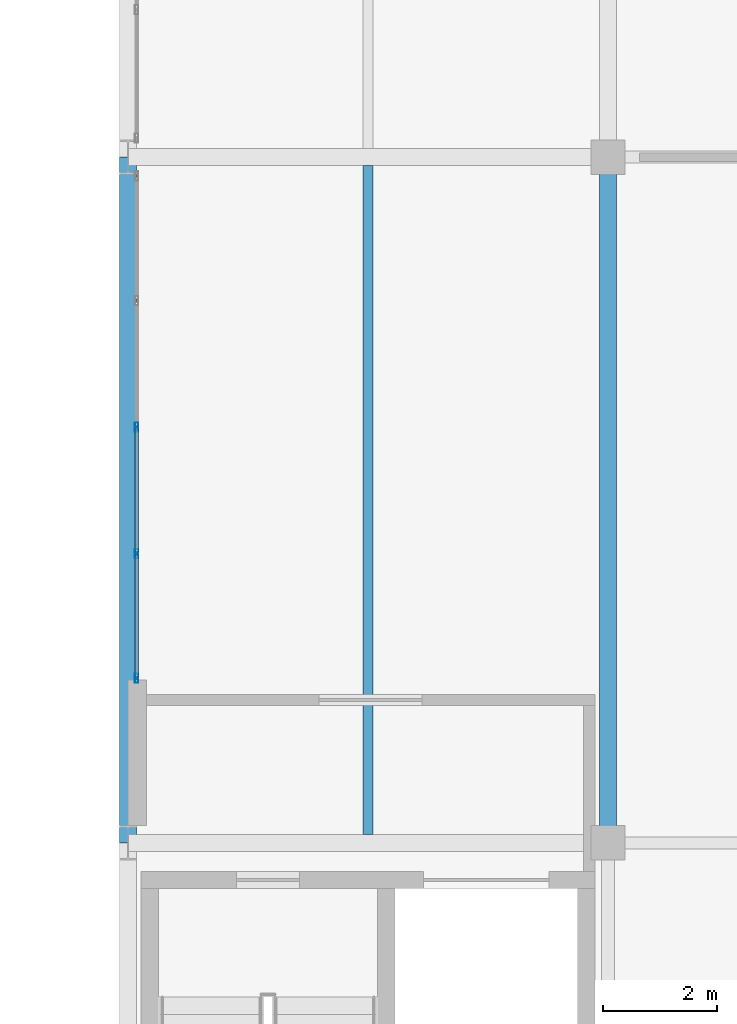
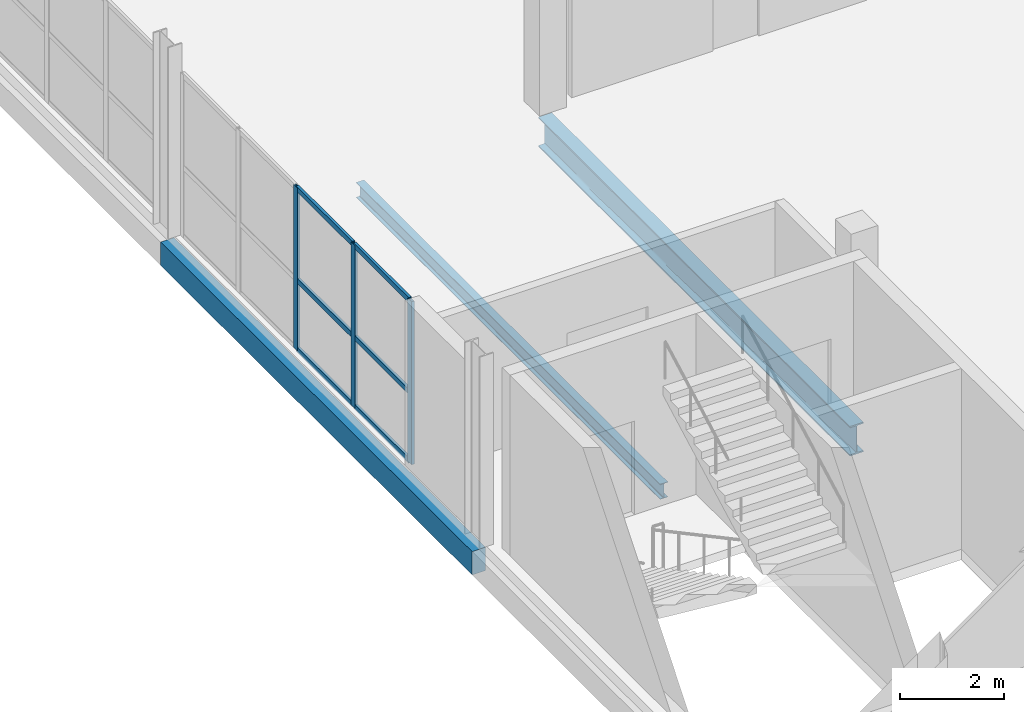
# One storey, part 88 of 130: 9 members, 3 beams, 1 element without a shape of its own.
"""IFC4 building model written with IfcOpenShell, lengths in metres."""

from ifc_helpers import new_model, si_unit, direction, frame, origin, origin_2d, place, context, subcontext, project, spatial, rectangle, hollow_rectangle, i_section, extrude, material, material_profile, profile_set, type_object, element, aggregate, save


model = new_model("IFC4")

# Units and contexts
model_context = context("Model", 3, precision=1e-05, world=origin(), true_north=direction((0.0, 1.0)))
body_context = subcontext(model_context, "Body", "Model", "MODEL_VIEW")
ifc_project = project(units=[si_unit("LENGTHUNIT", "METRE"), si_unit("AREAUNIT", "SQUARE_METRE"), si_unit("VOLUMEUNIT", "CUBIC_METRE"), si_unit("PLANEANGLEUNIT", "RADIAN"), si_unit("MASSUNIT", "GRAM", prefix="KILO")], contexts=[model_context])

# Site, building, storey
site_placement = place(None, origin())
site = spatial("IfcSite", under=ifc_project, at=site_placement, CompositionType="ELEMENT")
building_placement = place(site_placement, origin())
building = spatial("IfcBuilding", under=site, at=building_placement, Name="Veltarok Museum of Natural Sciences", CompositionType="ELEMENT")
storey_placement = place(building_placement, frame((0.0, 0.0, 12.89990234375)))
storey = spatial("IfcBuildingStorey", under=building, at=storey_placement, Name="L02", CompositionType="ELEMENT", Elevation=12.89990234375)

# Curtain wall, members
ifc_material_1 = material(Name="Low-iron triple insulated glass", Category="glass")
curtain_wall_type = type_object("IfcCurtainWallType", Name="Curtain Wall System CW-V5CW-L02-1-885x383 (CW-V5CW L02 885x383cm)", PredefinedType="NOTDEFINED", material=ifc_material_1)
curtain_wall_placement = place(storey_placement, origin())
curtain_wall = element("IfcCurtainWall", 1, at=curtain_wall_placement, inside=storey, type_object=curtain_wall_type, Name="Curtain Wall CW-V5CW-L02-1-885x383 CW-0177", PredefinedType="NOTDEFINED")
ifc_material_2 = material(Name="Thermally broken anodised aluminium", Category="aluminium")
ifc_material_profile_1 = material_profile(ifc_material_2, hollow_rectangle(XDim=0.06005859375, YDim=0.1201171875, WallThickness=0.0048828125, at=origin_2d()), Name="CW TRANSOM 60x120x5")
ifc_profile_set_1 = profile_set([ifc_material_profile_1], Name="Thermally broken anodised aluminium")
member_type_1 = type_object("IfcMemberType", Name="Curtain Wall Horizontal Transom 60x120x5", PredefinedType="USERDEFINED", material=ifc_profile_set_1)
member_1_placement = place(storey_placement, frame((132.550048828125, 38.909912109375, 0.028076171875), z_axis=(0.0, 1.0, 0.0), x_axis=(-1.0, 0.0, 0.0)))
member_1 = element("IfcMember", 2, at=member_1_placement, type_object=member_type_1, Name="CW-V5CW-L02-1-885x383 transom 1.1", ObjectType="TRANSOM", PredefinedType="USERDEFINED", context=body_context, shape_type="SweptSolid", body=[
    extrude(hollow_rectangle(XDim=0.06005859375, YDim=0.1201171875, WallThickness=0.0048828125, at=origin_2d()), origin(), (0.0, 0.0, 1.0), 2.12255859375),
])
member_2_placement = place(storey_placement, frame((132.550048828125, 38.909912109375, 1.648193359375), z_axis=(0.0, 1.0, 0.0), x_axis=(-1.0, 0.0, 0.0)))
member_2 = element("IfcMember", 3, at=member_2_placement, type_object=member_type_1, Name="CW-V5CW-L02-1-885x383 transom 1.2", ObjectType="TRANSOM", PredefinedType="USERDEFINED", context=body_context, shape_type="SweptSolid", body=[
    extrude(hollow_rectangle(XDim=0.06005859375, YDim=0.1201171875, WallThickness=0.0048828125, at=origin_2d()), origin(), (0.0, 0.0, 1.0), 2.12255859375),
])
member_3_placement = place(storey_placement, frame((132.550048828125, 38.909912109375, 3.800048828125), z_axis=(0.0, 1.0, 0.0), x_axis=(-1.0, 0.0, 0.0)))
member_3 = element("IfcMember", 4, at=member_3_placement, type_object=member_type_1, Name="CW-V5CW-L02-1-885x383 transom 1.3", ObjectType="TRANSOM", PredefinedType="USERDEFINED", context=body_context, shape_type="SweptSolid", body=[
    extrude(hollow_rectangle(XDim=0.06005859375, YDim=0.1201171875, WallThickness=0.0048828125, at=origin_2d()), origin(), (0.0, 0.0, 1.0), 2.12255859375),
])
member_4_placement = place(storey_placement, frame((132.550048828125, 41.092529296875, 0.028076171875), z_axis=(0.0, 1.0, 0.0), x_axis=(-1.0, 0.0, 0.0)))
member_4 = element("IfcMember", 5, at=member_4_placement, type_object=member_type_1, Name="CW-V5CW-L02-1-885x383 transom 2.1", ObjectType="TRANSOM", PredefinedType="USERDEFINED", context=body_context, shape_type="SweptSolid", body=[
    extrude(hollow_rectangle(XDim=0.06005859375, YDim=0.1201171875, WallThickness=0.0048828125, at=origin_2d()), origin(), (0.0, 0.0, 1.0), 2.152587890625),
])
member_5_placement = place(storey_placement, frame((132.550048828125, 41.092529296875, 1.648193359375), z_axis=(0.0, 1.0, 0.0), x_axis=(-1.0, 0.0, 0.0)))
member_5 = element("IfcMember", 6, at=member_5_placement, type_object=member_type_1, Name="CW-V5CW-L02-1-885x383 transom 2.2", ObjectType="TRANSOM", PredefinedType="USERDEFINED", context=body_context, shape_type="SweptSolid", body=[
    extrude(hollow_rectangle(XDim=0.06005859375, YDim=0.1201171875, WallThickness=0.0048828125, at=origin_2d()), origin(), (0.0, 0.0, 1.0), 2.152587890625),
])
member_6_placement = place(storey_placement, frame((132.550048828125, 41.092529296875, 3.800048828125), z_axis=(0.0, 1.0, 0.0), x_axis=(-1.0, 0.0, 0.0)))
member_6 = element("IfcMember", 7, at=member_6_placement, type_object=member_type_1, Name="CW-V5CW-L02-1-885x383 transom 2.3", ObjectType="TRANSOM", PredefinedType="USERDEFINED", context=body_context, shape_type="SweptSolid", body=[
    extrude(hollow_rectangle(XDim=0.06005859375, YDim=0.1201171875, WallThickness=0.0048828125, at=origin_2d()), origin(), (0.0, 0.0, 1.0), 2.152587890625),
])
ifc_material_profile_2 = material_profile(ifc_material_2, hollow_rectangle(XDim=0.06005859375, YDim=0.159912109375, WallThickness=0.0048828125, at=origin_2d()), Name="CW MULLION 60x160x5")
ifc_profile_set_2 = profile_set([ifc_material_profile_2], Name="Thermally broken anodised aluminium")
member_type_2 = type_object("IfcMemberType", Name="Curtain Wall Vertical Mullion 60x160x5", PredefinedType="MULLION", material=ifc_profile_set_2)
member_7_placement = place(storey_placement, frame((132.550048828125, 38.8798828125, -0.001953125), z_axis=(0.0, 0.0, 1.0), x_axis=(-1.0, 0.0, 0.0)))
member_7 = element("IfcMember", 8, at=member_7_placement, type_object=member_type_2, Name="CW-V5CW-L02-1-885x383 mullion 1", PredefinedType="MULLION", context=body_context, shape_type="SweptSolid", body=[
    extrude(hollow_rectangle(XDim=0.06005859375, YDim=0.159912109375, WallThickness=0.0048828125, at=origin_2d()), origin(), (0.0, 0.0, 1.0), 3.83203125),
])
member_8_placement = place(storey_placement, frame((132.550048828125, 41.0625, -0.001953125), z_axis=(0.0, 0.0, 1.0), x_axis=(-1.0, 0.0, 0.0)))
member_8 = element("IfcMember", 9, at=member_8_placement, type_object=member_type_2, Name="CW-V5CW-L02-1-885x383 mullion 2", PredefinedType="MULLION", context=body_context, shape_type="SweptSolid", body=[
    extrude(hollow_rectangle(XDim=0.06005859375, YDim=0.159912109375, WallThickness=0.0048828125, at=origin_2d()), origin(), (0.0, 0.0, 1.0), 3.83203125),
])
member_9_placement = place(storey_placement, frame((132.550048828125, 43.27490234375, -0.001953125), z_axis=(0.0, 0.0, 1.0), x_axis=(-1.0, 0.0, 0.0)))
member_9 = element("IfcMember", 10, at=member_9_placement, type_object=member_type_2, Name="CW-V5CW-L02-1-885x383 mullion 3", PredefinedType="MULLION", context=body_context, shape_type="SweptSolid", body=[
    extrude(hollow_rectangle(XDim=0.06005859375, YDim=0.159912109375, WallThickness=0.0048828125, at=origin_2d()), origin(), (0.0, 0.0, 1.0), 3.83203125),
])
aggregate(curtain_wall, [member_7, member_8, member_9, member_1, member_2, member_3, member_4, member_5, member_6])

# Beams
ifc_material_3 = material(Name="Precast concrete C40/50", Category="concrete")
ifc_material_profile_3 = material_profile(ifc_material_3, rectangle(XDim=0.300048828125, YDim=0.550048828125, at=origin_2d()), Name="RC 300x550")
ifc_profile_set_3 = profile_set([ifc_material_profile_3], Name="Precast concrete C40/50")
beam_type_1 = type_object("IfcBeamType", Name="East Wing Precast Spandrel RC 300x550", PredefinedType="SPANDREL", material=ifc_profile_set_3)
beam_1_placement = place(storey_placement, frame((132.39990234375, 36.0, -0.52490234375), z_axis=(0.0, 1.0, 0.0), x_axis=(-1.0, 0.0, 0.0)))
element("IfcBeam", 11, at=beam_1_placement, inside=storey, type_object=beam_type_1, Name="Beam BM-SP02 L02 16/E-F", PredefinedType="SPANDREL", context=body_context, shape_type="SweptSolid", body=[
    extrude(rectangle(XDim=0.300048828125, YDim=0.550048828125, at=origin_2d()), origin(), (0.0, 0.0, 1.0), 12.0),
])
ifc_material_4 = material(Name="Steel S355J2", Category="steel")
ifc_material_profile_4 = material_profile(ifc_material_4, i_section(OverallWidth=0.169921875, OverallDepth=0.360107421875, WebThickness=0.008056640625, FlangeThickness=0.0126953125, FilletRadius=0.01806640625, at=origin_2d()), Name="IPE 360")
ifc_profile_set_4 = profile_set([ifc_material_profile_4], Name="Steel S355J2")
beam_type_2 = type_object("IfcBeamType", Name="Long-Bay Composite Joist IPE 360", PredefinedType="JOIST", material=ifc_profile_set_4)
beam_2_placement = place(storey_placement, frame((136.60009765625, 36.14794921875, -0.429931640625), z_axis=(0.0, 1.0, 0.0), x_axis=(-1.0, 0.0, 0.0)))
element("IfcBeam", 12, at=beam_2_placement, inside=storey, type_object=beam_type_2, Name="Secondary Joist BM-J01 L02 16-17/E-F.1", PredefinedType="JOIST", context=body_context, shape_type="SweptSolid", body=[
    extrude(i_section(OverallWidth=0.169921875, OverallDepth=0.360107421875, WebThickness=0.008056640625, FlangeThickness=0.0126953125, FilletRadius=0.01806640625, at=origin_2d()), origin(), (0.0, 0.0, 1.0), 11.7041015625),
])
ifc_material_profile_5 = material_profile(ifc_material_4, i_section(OverallWidth=0.300048828125, OverallDepth=0.699951171875, WebThickness=0.01708984375, FlangeThickness=0.031982421875, FilletRadius=0.027099609375, at=origin_2d()), Name="HEB 700")
ifc_profile_set_5 = profile_set([ifc_material_profile_5], Name="Steel S355J2")
beam_type_3 = type_object("IfcBeamType", Name="Long-Span Hall Girder HEB 700", PredefinedType="BEAM", material=ifc_profile_set_5)
beam_3_placement = place(storey_placement, frame((140.800048828125, 36.0, -0.599853515625), z_axis=(0.0, 1.0, 0.0), x_axis=(-1.0, 0.0, 0.0)))
element("IfcBeam", 13, at=beam_3_placement, inside=storey, type_object=beam_type_3, Name="Beam BM-G01 L02 17/E-F", PredefinedType="BEAM", context=body_context, shape_type="SweptSolid", body=[
    extrude(i_section(OverallWidth=0.300048828125, OverallDepth=0.699951171875, WebThickness=0.01708984375, FlangeThickness=0.031982421875, FilletRadius=0.027099609375, at=origin_2d()), origin(), (0.0, 0.0, 1.0), 12.0),
])

save(model, "model.ifc")
